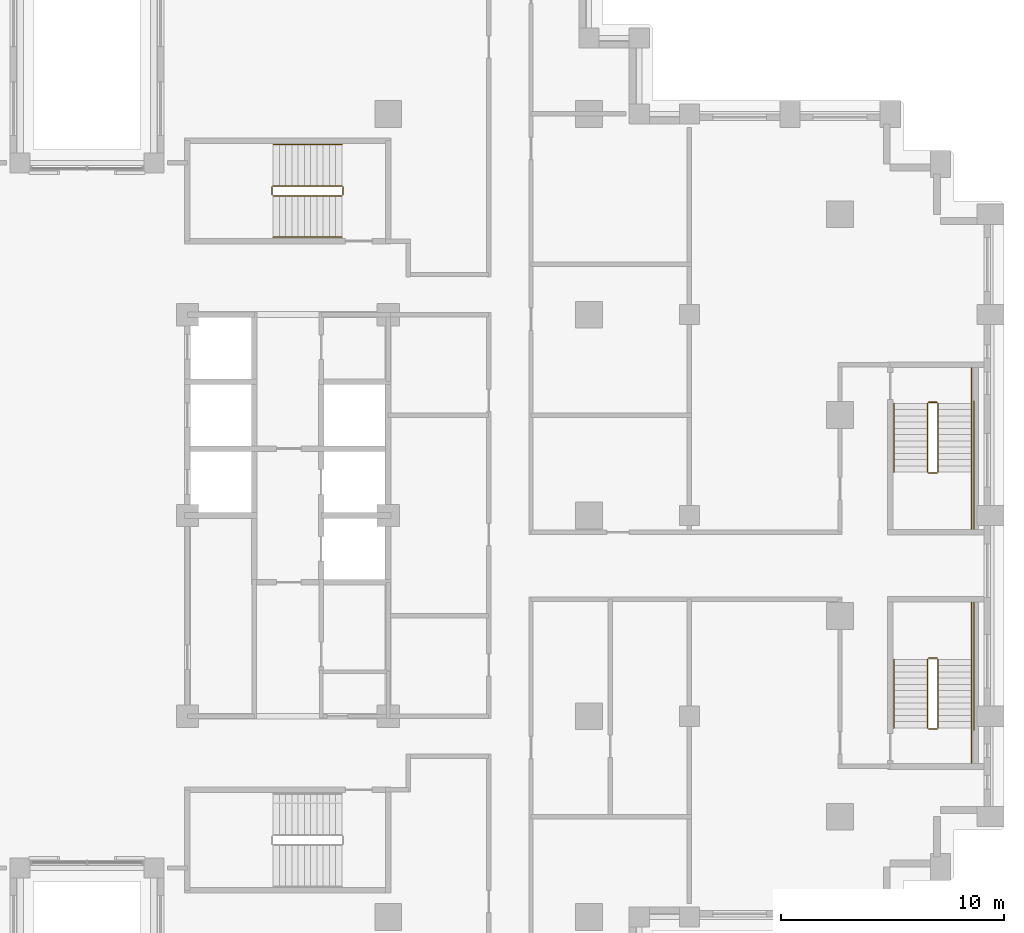
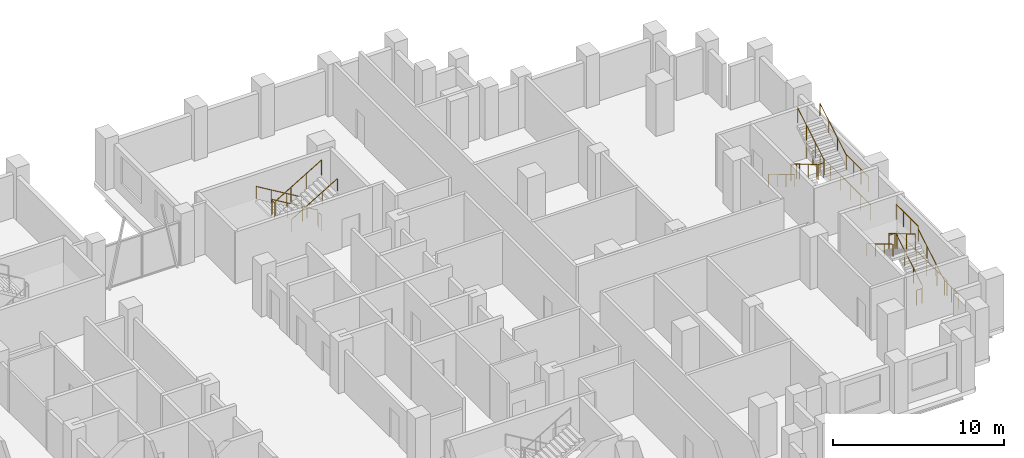
# One storey, part 16 of 16: 3 railings.
"""IFC4 building model written with IfcOpenShell, lengths in metres."""

from ifc_helpers import new_model, si_unit, direction, frame, origin, origin_2d, place, context, subcontext, project, spatial, circle, extrude, material, type_object, element, save


model = new_model("IFC4")

# Units and contexts
model_context = context("Model", 3, precision=1e-05, world=origin(), true_north=direction((0.0, 1.0)))
body_context = subcontext(model_context, "Body", "Model", "MODEL_VIEW")
ifc_project = project(units=[si_unit("LENGTHUNIT", "METRE"), si_unit("AREAUNIT", "SQUARE_METRE"), si_unit("VOLUMEUNIT", "CUBIC_METRE"), si_unit("PLANEANGLEUNIT", "RADIAN"), si_unit("MASSUNIT", "GRAM", prefix="KILO")], contexts=[model_context])

# Site, building, storey
site_placement = place(None, origin())
site = spatial("IfcSite", under=ifc_project, at=site_placement, CompositionType="ELEMENT")
building_placement = place(site_placement, origin())
building = spatial("IfcBuilding", under=site, at=building_placement, Name="Corbelhall Arena Tower", CompositionType="ELEMENT")
storey_placement = place(building_placement, frame((0.0, 0.0, 112.0)))
storey = spatial("IfcBuildingStorey", under=building, at=storey_placement, Name="L20", CompositionType="ELEMENT", Elevation=112.0)

# Railings
ifc_material = material(Name="Steel ASTM A500 Gr C", Category="steel")
railing_type = type_object("IfcRailingType", Name="IN-GD-1100", PredefinedType="GUARDRAIL", material=ifc_material)
railing_1_placement = place(storey_placement, frame((11.425048828125, 14.77490234375, 0.166748046875)))
element("IfcRailing", 1, at=railing_1_placement, inside=storey, type_object=railing_type, Name="L20 ST3 stair guards and handrails", PredefinedType="GUARDRAIL", context=body_context, shape_type="SweptSolid", body=[
    extrude(circle(Radius=0.02392578125, at=origin_2d()), frame((0.0, 0.0, 1.076171875), z_axis=(-0.859308565015, 0.0, 0.511457515432), x_axis=(0.0, -1.0, 0.0)), (0.0, 0.0, 1.0), 3.58447265625),
    extrude(circle(Radius=0.02392578125, at=origin_2d()), frame((-3.130126953125, -0.0498046875, 2.9091796875), z_axis=(0.0, -1.0, 0.0), x_axis=(1.0, 0.0, 0.0)), (0.0, 0.0, 1.0), 0.35009765625),
    extrude(circle(Radius=0.02392578125, at=origin_2d()), frame((-3.080078125, -0.449951171875, 3.076171875), z_axis=(0.859308565015, 0.0, 0.511457515432), x_axis=(0.0, 1.0, 0.0)), (0.0, 0.0, 1.0), 3.58447265625),
    extrude(circle(Radius=0.02392578125, at=origin_2d()), frame((0.050048828125, -0.0498046875, 0.9091796875), z_axis=(0.0, -1.0, 0.0), x_axis=(1.0, 0.0, 0.0)), (0.0, 0.0, 1.0), 0.35009765625),
    extrude(circle(Radius=0.02392578125, at=origin_2d()), frame((0.0, 1.85009765625, 0.8759765625), z_axis=(-0.859308565015, 0.0, 0.511457515432), x_axis=(0.0, -1.0, 0.0)), (0.0, 0.0, 1.0), 3.58447265625),
    extrude(circle(Radius=0.02392578125, at=origin_2d()), frame((-3.080078125, -2.2998046875, 2.8759765625), z_axis=(0.859308565015, 0.0, 0.511457515432), x_axis=(0.0, 1.0, 0.0)), (0.0, 0.0, 1.0), 3.58447265625),
    extrude(circle(Radius=0.02099609375, at=origin_2d()), origin(), (0.0, 0.0, 1.0), 1.052001953125),
    extrude(circle(Radius=0.02099609375, at=origin_2d()), frame((-1.026611328125, 0.0, 0.611083984375)), (0.0, 0.0, 1.0), 1.052001953125),
    extrude(circle(Radius=0.02099609375, at=origin_2d()), frame((-2.053466796875, 0.0, 1.22216796875)), (0.0, 0.0, 1.0), 1.052001953125),
    extrude(circle(Radius=0.02099609375, at=origin_2d()), frame((-3.080078125, 0.0, 1.833251953125)), (0.0, 0.0, 1.0), 1.052001953125),
    extrude(circle(Radius=0.02099609375, at=origin_2d()), frame((-3.130126953125, -0.0498046875, 1.833251953125)), (0.0, 0.0, 1.0), 1.052001953125),
    extrude(circle(Radius=0.02099609375, at=origin_2d()), frame((-3.130126953125, -0.39990234375, 1.833251953125)), (0.0, 0.0, 1.0), 1.052001953125),
    extrude(circle(Radius=0.02099609375, at=origin_2d()), frame((-3.080078125, -0.449951171875, 2.0)), (0.0, 0.0, 1.0), 1.052001953125),
    extrude(circle(Radius=0.02099609375, at=origin_2d()), frame((-2.053466796875, -0.449951171875, 2.611083984375)), (0.0, 0.0, 1.0), 1.052001953125),
    extrude(circle(Radius=0.02099609375, at=origin_2d()), frame((-1.026611328125, -0.449951171875, 3.22216796875)), (0.0, 0.0, 1.0), 1.052001953125),
    extrude(circle(Radius=0.02099609375, at=origin_2d()), frame((0.0, -0.449951171875, 3.833251953125)), (0.0, 0.0, 1.0), 1.052001953125),
    extrude(circle(Radius=0.02099609375, at=origin_2d()), frame((0.050048828125, -0.0498046875, -0.166748046875)), (0.0, 0.0, 1.0), 1.052001953125),
    extrude(circle(Radius=0.02099609375, at=origin_2d()), frame((0.050048828125, -0.39990234375, -0.166748046875)), (0.0, 0.0, 1.0), 1.052001953125),
    extrude(circle(Radius=0.02099609375, at=origin_2d()), frame((0.0, 1.85009765625, 0.0)), (0.0, 0.0, 1.0), 0.851806640625),
    extrude(circle(Radius=0.02099609375, at=origin_2d()), frame((-1.026611328125, 1.85009765625, 0.611083984375)), (0.0, 0.0, 1.0), 0.851806640625),
    extrude(circle(Radius=0.02099609375, at=origin_2d()), frame((-2.053466796875, 1.85009765625, 1.22216796875)), (0.0, 0.0, 1.0), 0.851806640625),
    extrude(circle(Radius=0.02099609375, at=origin_2d()), frame((-3.080078125, 1.85009765625, 1.833251953125)), (0.0, 0.0, 1.0), 0.851806640625),
    extrude(circle(Radius=0.02099609375, at=origin_2d()), frame((-3.080078125, -2.2998046875, 2.0)), (0.0, 0.0, 1.0), 0.851806640625),
    extrude(circle(Radius=0.02099609375, at=origin_2d()), frame((-2.053466796875, -2.2998046875, 2.611083984375)), (0.0, 0.0, 1.0), 0.851806640625),
    extrude(circle(Radius=0.02099609375, at=origin_2d()), frame((-1.026611328125, -2.2998046875, 3.22216796875)), (0.0, 0.0, 1.0), 0.851806640625),
    extrude(circle(Radius=0.02099609375, at=origin_2d()), frame((0.0, -2.2998046875, 3.833251953125)), (0.0, 0.0, 1.0), 0.851806640625),
])
railing_2_placement = place(storey_placement, frame((38.14990234375, -9.52490234375, 0.166748046875)))
element("IfcRailing", 2, at=railing_2_placement, inside=storey, type_object=railing_type, Name="L20 SD1 stair guards and handrails", PredefinedType="GUARDRAIL", context=body_context, shape_type="SweptSolid", body=[
    extrude(circle(Radius=0.02392578125, at=origin_2d()), frame((0.0, 0.0, 1.076171875), z_axis=(0.0, 0.859290745958, 0.51148745235), x_axis=(-1.0, 0.0, 0.0)), (0.0, 0.0, 1.0), 3.584228515625),
    extrude(circle(Radius=0.02392578125, at=origin_2d()), frame((-0.0498046875, 3.1298828125, 2.9091796875), z_axis=(-1.0, 0.0, 0.0), x_axis=(0.0, -1.0, 0.0)), (0.0, 0.0, 1.0), 0.375),
    extrude(circle(Radius=0.02392578125, at=origin_2d()), frame((1.5, 3.079833984375, 2.9091796875), z_axis=(0.0, 1.0, 0.0), x_axis=(-1.0, 0.0, 0.0)), (0.0, 0.0, 1.0), 2.570068359375),
    extrude(circle(Radius=0.02392578125, at=origin_2d()), frame((-0.474853515625, 3.079833984375, 3.076171875), z_axis=(0.0, -0.859290745958, 0.51148745235), x_axis=(1.0, 0.0, 0.0)), (0.0, 0.0, 1.0), 3.584228515625),
    extrude(circle(Radius=0.02392578125, at=origin_2d()), frame((-0.0498046875, -0.050048828125, 0.9091796875), z_axis=(-1.0, 0.0, 0.0), x_axis=(0.0, -1.0, 0.0)), (0.0, 0.0, 1.0), 0.375),
    extrude(circle(Radius=0.02392578125, at=origin_2d()), frame((1.5, -1.60009765625, 0.9091796875), z_axis=(0.0, 1.0, 0.0), x_axis=(-1.0, 0.0, 0.0)), (0.0, 0.0, 1.0), 1.60009765625),
    extrude(circle(Radius=0.02392578125, at=origin_2d()), frame((1.60009765625, -0.10009765625, 0.9091796875), z_axis=(0.0, 1.0, 0.0), x_axis=(-1.0, 0.0, 0.0)), (0.0, 0.0, 1.0), 5.85009765625),
    extrude(circle(Radius=0.02392578125, at=origin_2d()), frame((1.5, 0.0, 0.8759765625), z_axis=(0.0, 0.859290745958, 0.51148745235), x_axis=(-1.0, 0.0, 0.0)), (0.0, 0.0, 1.0), 3.584228515625),
    extrude(circle(Radius=0.02392578125, at=origin_2d()), frame((-1.974853515625, 3.079833984375, 2.8759765625), z_axis=(0.0, -0.859290745958, 0.51148745235), x_axis=(1.0, 0.0, 0.0)), (0.0, 0.0, 1.0), 3.584228515625),
    extrude(circle(Radius=0.02099609375, at=origin_2d()), origin(), (0.0, 0.0, 1.0), 1.052001953125),
    extrude(circle(Radius=0.02099609375, at=origin_2d()), frame((0.0, 1.026611328125, 0.611083984375)), (0.0, 0.0, 1.0), 1.052001953125),
    extrude(circle(Radius=0.02099609375, at=origin_2d()), frame((0.0, 2.05322265625, 1.22216796875)), (0.0, 0.0, 1.0), 1.052001953125),
    extrude(circle(Radius=0.02099609375, at=origin_2d()), frame((0.0, 3.079833984375, 1.833251953125)), (0.0, 0.0, 1.0), 1.052001953125),
    extrude(circle(Radius=0.02099609375, at=origin_2d()), frame((-0.0498046875, 3.1298828125, 1.833251953125)), (0.0, 0.0, 1.0), 1.052001953125),
    extrude(circle(Radius=0.02099609375, at=origin_2d()), frame((-0.4248046875, 3.1298828125, 1.833251953125)), (0.0, 0.0, 1.0), 1.052001953125),
    extrude(circle(Radius=0.02099609375, at=origin_2d()), frame((1.5, 3.079833984375, 1.833251953125)), (0.0, 0.0, 1.0), 1.052001953125),
    extrude(circle(Radius=0.02099609375, at=origin_2d()), frame((1.5, 3.9365234375, 1.833251953125)), (0.0, 0.0, 1.0), 1.052001953125),
    extrude(circle(Radius=0.02099609375, at=origin_2d()), frame((1.5, 4.793212890625, 1.833251953125)), (0.0, 0.0, 1.0), 1.052001953125),
    extrude(circle(Radius=0.02099609375, at=origin_2d()), frame((1.5, 5.64990234375, 1.833251953125)), (0.0, 0.0, 1.0), 1.052001953125),
    extrude(circle(Radius=0.02099609375, at=origin_2d()), frame((-0.474853515625, 3.079833984375, 2.0)), (0.0, 0.0, 1.0), 1.052001953125),
    extrude(circle(Radius=0.02099609375, at=origin_2d()), frame((-0.474853515625, 2.05322265625, 2.611083984375)), (0.0, 0.0, 1.0), 1.052001953125),
    extrude(circle(Radius=0.02099609375, at=origin_2d()), frame((-0.474853515625, 1.026611328125, 3.22216796875)), (0.0, 0.0, 1.0), 1.052001953125),
    extrude(circle(Radius=0.02099609375, at=origin_2d()), frame((-0.474853515625, 0.0, 3.833251953125)), (0.0, 0.0, 1.0), 1.052001953125),
    extrude(circle(Radius=0.02099609375, at=origin_2d()), frame((-0.0498046875, -0.050048828125, -0.166748046875)), (0.0, 0.0, 1.0), 1.052001953125),
    extrude(circle(Radius=0.02099609375, at=origin_2d()), frame((-0.4248046875, -0.050048828125, -0.166748046875)), (0.0, 0.0, 1.0), 1.052001953125),
    extrude(circle(Radius=0.02099609375, at=origin_2d()), frame((1.5, -1.60009765625, -0.166748046875)), (0.0, 0.0, 1.0), 1.052001953125),
    extrude(circle(Radius=0.02099609375, at=origin_2d()), frame((1.5, -0.800048828125, -0.166748046875)), (0.0, 0.0, 1.0), 1.052001953125),
    extrude(circle(Radius=0.02099609375, at=origin_2d()), frame((1.5, 0.0, -0.166748046875)), (0.0, 0.0, 1.0), 1.052001953125),
    extrude(circle(Radius=0.02099609375, at=origin_2d()), frame((1.60009765625, -0.10009765625, -0.166748046875)), (0.0, 0.0, 1.0), 1.052001953125),
    extrude(circle(Radius=0.02099609375, at=origin_2d()), frame((1.60009765625, 1.06982421875, -0.166748046875)), (0.0, 0.0, 1.0), 1.052001953125),
    extrude(circle(Radius=0.02099609375, at=origin_2d()), frame((1.60009765625, 2.239990234375, -0.166748046875)), (0.0, 0.0, 1.0), 1.052001953125),
    extrude(circle(Radius=0.02099609375, at=origin_2d()), frame((1.60009765625, 3.409912109375, -0.166748046875)), (0.0, 0.0, 1.0), 1.052001953125),
    extrude(circle(Radius=0.02099609375, at=origin_2d()), frame((1.60009765625, 4.580078125, -0.166748046875)), (0.0, 0.0, 1.0), 1.052001953125),
    extrude(circle(Radius=0.02099609375, at=origin_2d()), frame((1.60009765625, 5.75, -0.166748046875)), (0.0, 0.0, 1.0), 1.052001953125),
    extrude(circle(Radius=0.02099609375, at=origin_2d()), frame((1.5, 0.0, 0.0)), (0.0, 0.0, 1.0), 0.851806640625),
    extrude(circle(Radius=0.02099609375, at=origin_2d()), frame((1.5, 1.026611328125, 0.611083984375)), (0.0, 0.0, 1.0), 0.851806640625),
    extrude(circle(Radius=0.02099609375, at=origin_2d()), frame((1.5, 2.05322265625, 1.22216796875)), (0.0, 0.0, 1.0), 0.851806640625),
    extrude(circle(Radius=0.02099609375, at=origin_2d()), frame((-1.974853515625, 3.079833984375, 2.0)), (0.0, 0.0, 1.0), 0.851806640625),
    extrude(circle(Radius=0.02099609375, at=origin_2d()), frame((-1.974853515625, 2.05322265625, 2.611083984375)), (0.0, 0.0, 1.0), 0.851806640625),
    extrude(circle(Radius=0.02099609375, at=origin_2d()), frame((-1.974853515625, 1.026611328125, 3.22216796875)), (0.0, 0.0, 1.0), 0.851806640625),
    extrude(circle(Radius=0.02099609375, at=origin_2d()), frame((-1.974853515625, 0.0, 3.833251953125)), (0.0, 0.0, 1.0), 0.851806640625),
])
railing_3_placement = place(storey_placement, frame((37.675048828125, 5.02490234375, 0.166748046875)))
element("IfcRailing", 3, at=railing_3_placement, inside=storey, type_object=railing_type, Name="L20 SD2 stair guards and handrails", PredefinedType="GUARDRAIL", context=body_context, shape_type="SweptSolid", body=[
    extrude(circle(Radius=0.02392578125, at=origin_2d()), frame((0.0, 0.0, 1.076171875), z_axis=(0.0, -0.859290745958, 0.51148745235), x_axis=(1.0, 0.0, 0.0)), (0.0, 0.0, 1.0), 3.584228515625),
    extrude(circle(Radius=0.02392578125, at=origin_2d()), frame((0.050048828125, -3.1298828125, 2.9091796875), z_axis=(1.0, 0.0, 0.0), x_axis=(0.0, 1.0, 0.0)), (0.0, 0.0, 1.0), 0.375),
    extrude(circle(Radius=0.02392578125, at=origin_2d()), frame((1.974853515625, -3.079833984375, 2.9091796875), z_axis=(0.0, -1.0, 0.0), x_axis=(1.0, 0.0, 0.0)), (0.0, 0.0, 1.0), 2.570068359375),
    extrude(circle(Radius=0.02392578125, at=origin_2d()), frame((0.474853515625, -3.079833984375, 3.076171875), z_axis=(0.0, 0.859290745958, 0.51148745235), x_axis=(-1.0, 0.0, 0.0)), (0.0, 0.0, 1.0), 3.584228515625),
    extrude(circle(Radius=0.02392578125, at=origin_2d()), frame((0.050048828125, 0.050048828125, 0.9091796875), z_axis=(1.0, 0.0, 0.0), x_axis=(0.0, 1.0, 0.0)), (0.0, 0.0, 1.0), 0.375),
    extrude(circle(Radius=0.02392578125, at=origin_2d()), frame((1.974853515625, 1.60009765625, 0.9091796875), z_axis=(0.0, -1.0, 0.0), x_axis=(1.0, 0.0, 0.0)), (0.0, 0.0, 1.0), 1.60009765625),
    extrude(circle(Radius=0.02392578125, at=origin_2d()), frame((2.074951171875, 0.10009765625, 0.9091796875), z_axis=(0.0, -1.0, 0.0), x_axis=(1.0, 0.0, 0.0)), (0.0, 0.0, 1.0), 5.85009765625),
    extrude(circle(Radius=0.02392578125, at=origin_2d()), frame((-1.5, 0.0, 0.8759765625), z_axis=(0.0, -0.859290745958, 0.51148745235), x_axis=(1.0, 0.0, 0.0)), (0.0, 0.0, 1.0), 3.584228515625),
    extrude(circle(Radius=0.02392578125, at=origin_2d()), frame((1.974853515625, -3.079833984375, 2.8759765625), z_axis=(0.0, 0.859290745958, 0.51148745235), x_axis=(-1.0, 0.0, 0.0)), (0.0, 0.0, 1.0), 3.584228515625),
    extrude(circle(Radius=0.02099609375, at=origin_2d()), origin(), (0.0, 0.0, 1.0), 1.052001953125),
    extrude(circle(Radius=0.02099609375, at=origin_2d()), frame((0.0, -1.026611328125, 0.611083984375)), (0.0, 0.0, 1.0), 1.052001953125),
    extrude(circle(Radius=0.02099609375, at=origin_2d()), frame((0.0, -2.05322265625, 1.22216796875)), (0.0, 0.0, 1.0), 1.052001953125),
    extrude(circle(Radius=0.02099609375, at=origin_2d()), frame((0.0, -3.079833984375, 1.833251953125)), (0.0, 0.0, 1.0), 1.052001953125),
    extrude(circle(Radius=0.02099609375, at=origin_2d()), frame((0.050048828125, -3.1298828125, 1.833251953125)), (0.0, 0.0, 1.0), 1.052001953125),
    extrude(circle(Radius=0.02099609375, at=origin_2d()), frame((0.425048828125, -3.1298828125, 1.833251953125)), (0.0, 0.0, 1.0), 1.052001953125),
    extrude(circle(Radius=0.02099609375, at=origin_2d()), frame((1.974853515625, -3.079833984375, 1.833251953125)), (0.0, 0.0, 1.0), 1.052001953125),
    extrude(circle(Radius=0.02099609375, at=origin_2d()), frame((1.974853515625, -3.9365234375, 1.833251953125)), (0.0, 0.0, 1.0), 1.052001953125),
    extrude(circle(Radius=0.02099609375, at=origin_2d()), frame((1.974853515625, -4.793212890625, 1.833251953125)), (0.0, 0.0, 1.0), 1.052001953125),
    extrude(circle(Radius=0.02099609375, at=origin_2d()), frame((1.974853515625, -5.64990234375, 1.833251953125)), (0.0, 0.0, 1.0), 1.052001953125),
    extrude(circle(Radius=0.02099609375, at=origin_2d()), frame((0.474853515625, -3.079833984375, 2.0)), (0.0, 0.0, 1.0), 1.052001953125),
    extrude(circle(Radius=0.02099609375, at=origin_2d()), frame((0.474853515625, -2.05322265625, 2.611083984375)), (0.0, 0.0, 1.0), 1.052001953125),
    extrude(circle(Radius=0.02099609375, at=origin_2d()), frame((0.474853515625, -1.026611328125, 3.22216796875)), (0.0, 0.0, 1.0), 1.052001953125),
    extrude(circle(Radius=0.02099609375, at=origin_2d()), frame((0.474853515625, 0.0, 3.833251953125)), (0.0, 0.0, 1.0), 1.052001953125),
    extrude(circle(Radius=0.02099609375, at=origin_2d()), frame((0.050048828125, 0.050048828125, -0.166748046875)), (0.0, 0.0, 1.0), 1.052001953125),
    extrude(circle(Radius=0.02099609375, at=origin_2d()), frame((0.425048828125, 0.050048828125, -0.166748046875)), (0.0, 0.0, 1.0), 1.052001953125),
    extrude(circle(Radius=0.02099609375, at=origin_2d()), frame((1.974853515625, 1.60009765625, -0.166748046875)), (0.0, 0.0, 1.0), 1.052001953125),
    extrude(circle(Radius=0.02099609375, at=origin_2d()), frame((1.974853515625, 0.800048828125, -0.166748046875)), (0.0, 0.0, 1.0), 1.052001953125),
    extrude(circle(Radius=0.02099609375, at=origin_2d()), frame((1.974853515625, 0.0, -0.166748046875)), (0.0, 0.0, 1.0), 1.052001953125),
    extrude(circle(Radius=0.02099609375, at=origin_2d()), frame((2.074951171875, 0.10009765625, -0.166748046875)), (0.0, 0.0, 1.0), 1.052001953125),
    extrude(circle(Radius=0.02099609375, at=origin_2d()), frame((2.074951171875, -1.06982421875, -0.166748046875)), (0.0, 0.0, 1.0), 1.052001953125),
    extrude(circle(Radius=0.02099609375, at=origin_2d()), frame((2.074951171875, -2.239990234375, -0.166748046875)), (0.0, 0.0, 1.0), 1.052001953125),
    extrude(circle(Radius=0.02099609375, at=origin_2d()), frame((2.074951171875, -3.409912109375, -0.166748046875)), (0.0, 0.0, 1.0), 1.052001953125),
    extrude(circle(Radius=0.02099609375, at=origin_2d()), frame((2.074951171875, -4.580078125, -0.166748046875)), (0.0, 0.0, 1.0), 1.052001953125),
    extrude(circle(Radius=0.02099609375, at=origin_2d()), frame((2.074951171875, -5.75, -0.166748046875)), (0.0, 0.0, 1.0), 1.052001953125),
    extrude(circle(Radius=0.02099609375, at=origin_2d()), frame((-1.5, 0.0, 0.0)), (0.0, 0.0, 1.0), 0.851806640625),
    extrude(circle(Radius=0.02099609375, at=origin_2d()), frame((-1.5, -1.026611328125, 0.611083984375)), (0.0, 0.0, 1.0), 0.851806640625),
    extrude(circle(Radius=0.02099609375, at=origin_2d()), frame((-1.5, -2.05322265625, 1.22216796875)), (0.0, 0.0, 1.0), 0.851806640625),
    extrude(circle(Radius=0.02099609375, at=origin_2d()), frame((-1.5, -3.079833984375, 1.833251953125)), (0.0, 0.0, 1.0), 0.851806640625),
    extrude(circle(Radius=0.02099609375, at=origin_2d()), frame((1.974853515625, -3.079833984375, 2.0)), (0.0, 0.0, 1.0), 0.851806640625),
    extrude(circle(Radius=0.02099609375, at=origin_2d()), frame((1.974853515625, -2.05322265625, 2.611083984375)), (0.0, 0.0, 1.0), 0.851806640625),
    extrude(circle(Radius=0.02099609375, at=origin_2d()), frame((1.974853515625, -1.026611328125, 3.22216796875)), (0.0, 0.0, 1.0), 0.851806640625),
    extrude(circle(Radius=0.02099609375, at=origin_2d()), frame((1.974853515625, 0.0, 3.833251953125)), (0.0, 0.0, 1.0), 0.851806640625),
])

save(model, "model.ifc")
